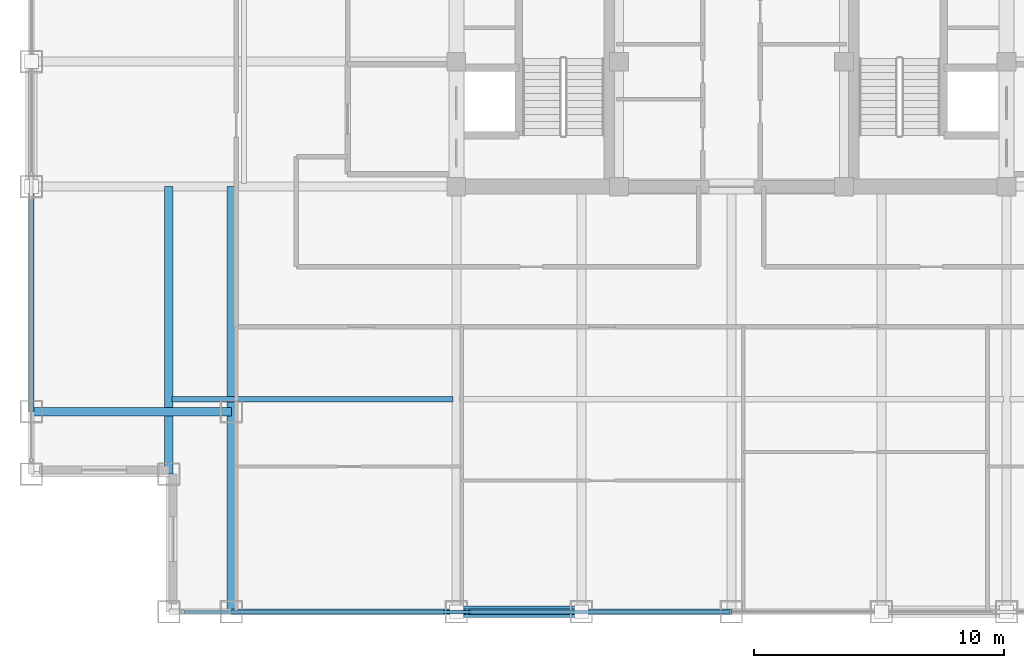
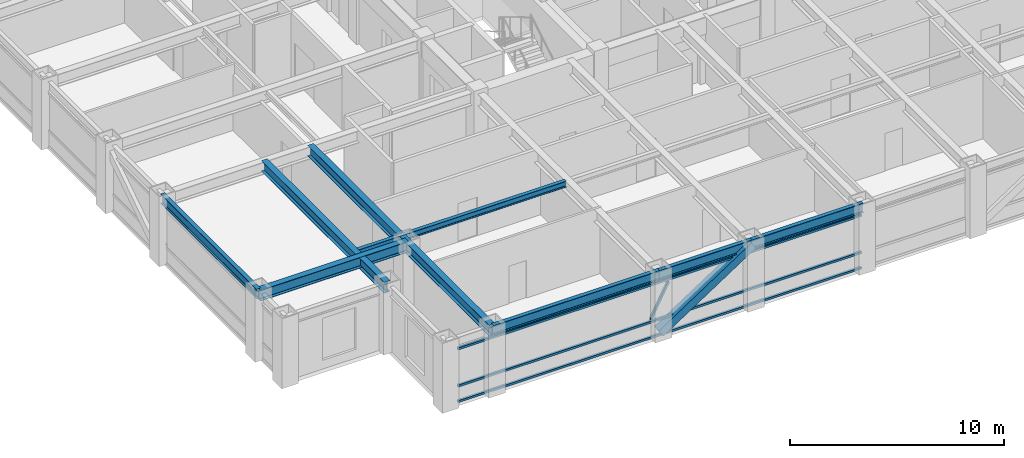
# One storey, part 3 of 22: 8 beams, 5 members, 1 element without a shape of its own.
"""IFC4 building model written with IfcOpenShell, lengths in metres."""

from ifc_helpers import new_model, si_unit, direction, frame, origin, origin_2d, place, context, subcontext, project, spatial, hollow_rectangle, i_section, extrude, source, transform, mapped, material, material_profile, profile_set, type_object, element, aggregate, save


model = new_model("IFC4")

# Units and contexts
model_context = context("Model", 3, precision=1e-05, world=origin(), true_north=direction((0.0, 1.0)))
body_context = subcontext(model_context, "Body", "Model", "MODEL_VIEW")
ifc_project = project(units=[si_unit("LENGTHUNIT", "METRE"), si_unit("AREAUNIT", "SQUARE_METRE"), si_unit("VOLUMEUNIT", "CUBIC_METRE"), si_unit("PLANEANGLEUNIT", "RADIAN"), si_unit("MASSUNIT", "GRAM", prefix="KILO")], contexts=[model_context])

# Site, building, storey
site_placement = place(None, origin())
site = spatial("IfcSite", under=ifc_project, at=site_placement, CompositionType="ELEMENT")
building_placement = place(site_placement, origin())
building = spatial("IfcBuilding", under=site, at=building_placement, Name="Khorayat Bourse Tower", CompositionType="ELEMENT")
storey_placement = place(building_placement, frame((0.0, 0.0, 293.5)))
storey = spatial("IfcBuildingStorey", under=building, at=storey_placement, Name="L69", CompositionType="ELEMENT", Elevation=293.5)

# Beam
ifc_material_1 = material(Name="Steel ASTM A992 Grade 50", Category="steel")
ifc_material_profile_1 = material_profile(ifc_material_1, i_section(OverallWidth=0.324951171875, OverallDepth=0.615966796875, WebThickness=0.013916015625, FlangeThickness=0.021484375, FilletRadius=0.01611328125, at=origin_2d()), Name="W610X174")
ifc_profile_set_1 = profile_set([ifc_material_profile_1], Name="Steel ASTM A992 Grade 50")
beam_type_1 = type_object("IfcBeamType", Name="BM-GIRD-610", PredefinedType="BEAM", material=ifc_profile_set_1)
shared_shape_1 = source(origin(), body_context, "Body", "SweptSolid", [
    extrude(i_section(OverallWidth=0.324951171875, OverallDepth=0.615966796875, WebThickness=0.013916015625, FlangeThickness=0.021484375, FilletRadius=0.01611328125, at=origin_2d()), origin(), (0.0, 0.0, 1.0), 17.0),
])
beam_1_placement = place(storey_placement, frame((-20.0, -28.0, 3.471923828125), z_axis=(0.0, 1.0, 0.0), x_axis=(-1.0, 0.0, 0.0)))
element("IfcBeam", 1, at=beam_1_placement, inside=storey, type_object=beam_type_1, Name="L69 BM-GIRD-610 BM-L69-CNRY-084", PredefinedType="BEAM", context=body_context, shape_type="MappedRepresentation", body=[
    mapped(shared_shape_1, transform((0.0, 0.0, 0.0), scale=1.0)),
])

# Member
ifc_material_2 = material(Name="Steel EN 10025-4 S460M", Category="steel")
ifc_material_profile_2 = material_profile(ifc_material_2, hollow_rectangle(XDim=0.449951171875, YDim=0.449951171875, WallThickness=0.02490234375, at=origin_2d()), Name="HSS 450x450x25")
ifc_profile_set_2 = profile_set([ifc_material_profile_2], Name="Steel EN 10025-4 S460M")
member_type_1 = type_object("IfcMemberType", Name="MBR-TUBE-450", PredefinedType="BRACE", material=ifc_profile_set_2)
shared_shape_2 = source(origin(), body_context, "Body", "SweptSolid", [
    extrude(hollow_rectangle(XDim=0.449951171875, YDim=0.449951171875, WallThickness=0.02490234375, at=origin_2d()), origin(), (0.0, 0.0, 1.0), 5.979736328125),
])
member_1_placement = place(storey_placement, frame((-11.0, -28.0, 0.25), z_axis=(0.836141536525, 0.0, 0.548513747227), x_axis=(0.0, 1.0, 0.0)))
element("IfcMember", 2, at=member_1_placement, inside=storey, type_object=member_type_1, Name="L69 Perimeter Tube Brace 01", PredefinedType="BRACE", context=body_context, shape_type="MappedRepresentation", body=[
    mapped(shared_shape_2, transform((0.0, 0.0, 0.0), scale=1.0)),
])

# Beams
shared_shape_3 = source(origin(), body_context, "Body", "SweptSolid", [
    extrude(i_section(OverallWidth=0.324951171875, OverallDepth=0.615966796875, WebThickness=0.013916015625, FlangeThickness=0.021484375, FilletRadius=0.01611328125, at=origin_2d()), origin(), (0.0, 0.0, 1.0), 11.5),
])
beam_2_placement = place(storey_placement, frame((-22.5, -22.5, 3.471923828125), z_axis=(0.0, 1.0, 0.0), x_axis=(-1.0, 0.0, 0.0)))
element("IfcBeam", 3, at=beam_2_placement, inside=storey, type_object=beam_type_1, Name="L69 BM-GIRD-610 BM-L69-CNRY-088", PredefinedType="BEAM", context=body_context, shape_type="MappedRepresentation", body=[
    mapped(shared_shape_3, transform((0.0, 0.0, 0.0), scale=1.0)),
])
shared_shape_4 = source(origin(), body_context, "Body", "SweptSolid", [
    extrude(i_section(OverallWidth=0.324951171875, OverallDepth=0.615966796875, WebThickness=0.013916015625, FlangeThickness=0.021484375, FilletRadius=0.01611328125, at=origin_2d()), origin(), (0.0, 0.0, 1.0), 8.0),
])
beam_3_placement = place(storey_placement, frame((-28.0, -20.0, 3.471923828125), z_axis=(1.0, 0.0, 0.0), x_axis=(0.0, 1.0, 0.0)))
element("IfcBeam", 4, at=beam_3_placement, inside=storey, type_object=beam_type_1, Name="L69 BM-GIRD-610 BM-L69-CNRX-093", PredefinedType="BEAM", context=body_context, shape_type="MappedRepresentation", body=[
    mapped(shared_shape_4, transform((0.0, 0.0, 0.0), scale=1.0)),
])
ifc_material_profile_3 = material_profile(ifc_material_1, i_section(OverallWidth=0.202880859375, OverallDepth=0.346923828125, WebThickness=0.0078125, FlangeThickness=0.013427734375, FilletRadius=0.010009765625, at=origin_2d()), Name="W360X64")
ifc_profile_set_3 = profile_set([ifc_material_profile_3], Name="Steel ASTM A992 Grade 50")
beam_type_2 = type_object("IfcBeamType", Name="BM-JOIST-360", PredefinedType="JOIST", material=ifc_profile_set_3)
shared_shape_5 = source(origin(), body_context, "Body", "SweptSolid", [
    extrude(i_section(OverallWidth=0.202880859375, OverallDepth=0.346923828125, WebThickness=0.0078125, FlangeThickness=0.013427734375, FilletRadius=0.010009765625, at=origin_2d()), origin(), (0.0, 0.0, 1.0), 11.240234375),
])
beam_4_placement = place(storey_placement, frame((-22.3701171875, -19.5, 3.6064453125), z_axis=(1.0, 0.0, 0.0), x_axis=(0.0, 1.0, 0.0)))
element("IfcBeam", 5, at=beam_4_placement, inside=storey, type_object=beam_type_2, Name="L69 BM-JOIST-360 BM-L69-JSTX-096", PredefinedType="JOIST", context=body_context, shape_type="MappedRepresentation", body=[
    mapped(shared_shape_5, transform((0.0, 0.0, 0.0), scale=1.0)),
])
ifc_material_profile_4 = material_profile(ifc_material_1, i_section(OverallWidth=0.214111328125, OverallDepth=0.549072265625, WebThickness=0.0146484375, FlangeThickness=0.023681640625, FilletRadius=0.013916015625, at=origin_2d()), Name="W530X138")
ifc_profile_set_4 = profile_set([ifc_material_profile_4], Name="Steel ASTM A992 Grade 50")
beam_type_3 = type_object("IfcBeamType", Name="BM-SPAN-530", PredefinedType="SPANDREL", material=ifc_profile_set_4)
shared_shape_6 = source(origin(), body_context, "Body", "SweptSolid", [
    extrude(i_section(OverallWidth=0.214111328125, OverallDepth=0.549072265625, WebThickness=0.0146484375, FlangeThickness=0.023681640625, FilletRadius=0.013916015625, at=origin_2d()), origin(), (0.0, 0.0, 1.0), 9.0),
])
for number, where, z_axis, x_axis, name in (
    (6, (-20.0, -28.0, 3.505615234375), (1.0, 0.0, 0.0), (0.0, 1.0, 0.0), "L69 BM-SPAN-530 BM-L69-SPN-025"),
    (7, (-28.0, -20.0, 3.505615234375), (0.0, 1.0, 0.0), (-1.0, 0.0, 0.0), "L69 BM-SPAN-530 BM-L69-SPN-060"),
):
    element("IfcBeam", number, at=place(storey_placement, frame(where, z_axis=z_axis, x_axis=x_axis)), inside=storey, type_object=beam_type_3, Name=name, PredefinedType="SPANDREL", context=body_context, shape_type="MappedRepresentation", body=[
        mapped(shared_shape_6, transform((0.0, 0.0, 0.0), scale=1.0)),
    ])
shared_shape_7 = source(origin(), body_context, "Body", "SweptSolid", [
    extrude(i_section(OverallWidth=0.214111328125, OverallDepth=0.549072265625, WebThickness=0.0146484375, FlangeThickness=0.023681640625, FilletRadius=0.013916015625, at=origin_2d()), origin(), (0.0, 0.0, 1.0), 5.0),
])
beam_5_placement = place(storey_placement, frame((-11.0, -28.0, 3.505615234375), z_axis=(1.0, 0.0, 0.0), x_axis=(0.0, 1.0, 0.0)))
element("IfcBeam", 8, at=beam_5_placement, inside=storey, type_object=beam_type_3, Name="L69 BM-SPAN-530 BM-L69-SPN-026", PredefinedType="SPANDREL", context=body_context, shape_type="MappedRepresentation", body=[
    mapped(shared_shape_7, transform((0.0, 0.0, 0.0), scale=1.0)),
])
shared_shape_8 = source(origin(), body_context, "Body", "SweptSolid", [
    extrude(i_section(OverallWidth=0.214111328125, OverallDepth=0.549072265625, WebThickness=0.0146484375, FlangeThickness=0.023681640625, FilletRadius=0.013916015625, at=origin_2d()), origin(), (0.0, 0.0, 1.0), 6.0),
])
beam_6_placement = place(storey_placement, frame((-6.0, -28.0, 3.505615234375), z_axis=(1.0, 0.0, 0.0), x_axis=(0.0, 1.0, 0.0)))
element("IfcBeam", 9, at=beam_6_placement, inside=storey, type_object=beam_type_3, Name="L69 BM-SPAN-530 BM-L69-SPN-027", PredefinedType="SPANDREL", context=body_context, shape_type="MappedRepresentation", body=[
    mapped(shared_shape_8, transform((0.0, 0.0, 0.0), scale=1.0)),
])

# Curtain wall, members
ifc_material_3 = material(Name="Aluminium EN AW-6063 T6", Category="aluminium")
curtain_wall_type = type_object("IfcCurtainWallType", Name="CW-SYS-04", PredefinedType="NOTDEFINED", material=ifc_material_3)
curtain_wall_placement = place(storey_placement, origin())
curtain_wall = element("IfcCurtainWall", 10, at=curtain_wall_placement, inside=storey, type_object=curtain_wall_type, Name="L69 Curtain Wall CW-L69-S1", PredefinedType="NOTDEFINED")
ifc_material_profile_5 = material_profile(ifc_material_3, hollow_rectangle(XDim=0.1201171875, YDim=0.1201171875, WallThickness=0.0048828125, at=origin_2d()), Name="ALU 120x120x5")
ifc_profile_set_5 = profile_set([ifc_material_profile_5], Name="Aluminium EN AW-6063 T6")
member_type_2 = type_object("IfcMemberType", Name="CWM-DIAG-120", PredefinedType="MULLION", material=ifc_profile_set_5)
shared_shape_9 = source(origin(), body_context, "Body", "SweptSolid", [
    extrude(hollow_rectangle(XDim=0.1201171875, YDim=0.1201171875, WallThickness=0.0048828125, at=origin_2d()), origin(), (0.0, 0.0, 1.0), 2.0791015625),
])
member_2_placement = place(storey_placement, frame((-11.4541015625, -28.0, 1.090087890625), z_axis=(0.465717394116, 0.0, 0.884933505309), x_axis=(0.0, 1.0, 0.0)))
member_2 = element("IfcMember", 11, at=member_2_placement, type_object=member_type_2, Name="CW-L69-S1 Faceted Diagonal Mullion 1", PredefinedType="MULLION", context=body_context, shape_type="MappedRepresentation", body=[
    mapped(shared_shape_9, transform((0.0, 0.0, 0.0), scale=1.0)),
])
ifc_material_profile_6 = material_profile(ifc_material_3, hollow_rectangle(XDim=0.1201171875, YDim=0.1201171875, WallThickness=0.0048828125, at=origin_2d()), Name="ALU 120x120x5")
ifc_profile_set_6 = profile_set([ifc_material_profile_6], Name="Aluminium EN AW-6063 T6")
member_type_3 = type_object("IfcMemberType", Name="CWT-HORZ-120", PredefinedType="USERDEFINED", material=ifc_profile_set_6)
shared_shape_10 = source(origin(), body_context, "Body", "SweptSolid", [
    extrude(hollow_rectangle(XDim=0.1201171875, YDim=0.1201171875, WallThickness=0.0048828125, at=origin_2d()), origin(), (0.0, 0.0, 1.0), 21.81982421875),
])
member_3_placement = place(storey_placement, frame((-21.8798828125, -28.0, 0.06005859375), z_axis=(1.0, 0.0, 0.0), x_axis=(0.0, 1.0, 0.0)))
member_3 = element("IfcMember", 12, at=member_3_placement, type_object=member_type_3, Name="CW-L69-S1 Horizontal Transom 1-1", ObjectType="TRANSOM", PredefinedType="USERDEFINED", context=body_context, shape_type="MappedRepresentation", body=[
    mapped(shared_shape_10, transform((0.0, 0.0, 0.0), scale=1.0)),
])
member_4_placement = place(storey_placement, frame((-21.8798828125, -28.0, 0.949951171875), z_axis=(1.0, 0.0, 0.0), x_axis=(0.0, 1.0, 0.0)))
member_4 = element("IfcMember", 13, at=member_4_placement, type_object=member_type_3, Name="CW-L69-S1 Horizontal Transom 1-2", ObjectType="TRANSOM", PredefinedType="USERDEFINED", context=body_context, shape_type="MappedRepresentation", body=[
    mapped(shared_shape_10, transform((0.0, 0.0, 0.0), scale=1.0)),
])
member_5_placement = place(storey_placement, frame((-21.8798828125, -28.0, 3.070068359375), z_axis=(1.0, 0.0, 0.0), x_axis=(0.0, 1.0, 0.0)))
member_5 = element("IfcMember", 14, at=member_5_placement, type_object=member_type_3, Name="CW-L69-S1 Horizontal Transom 1-3", ObjectType="TRANSOM", PredefinedType="USERDEFINED", context=body_context, shape_type="MappedRepresentation", body=[
    mapped(shared_shape_10, transform((0.0, 0.0, 0.0), scale=1.0)),
])
aggregate(curtain_wall, [member_3, member_4, member_5, member_2])

save(model, "model.ifc")
